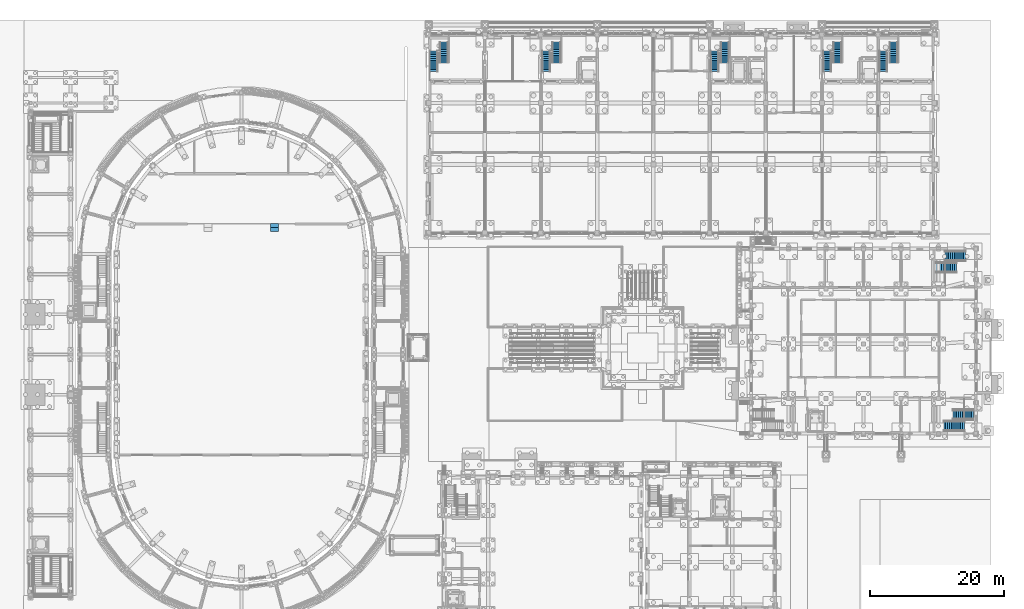
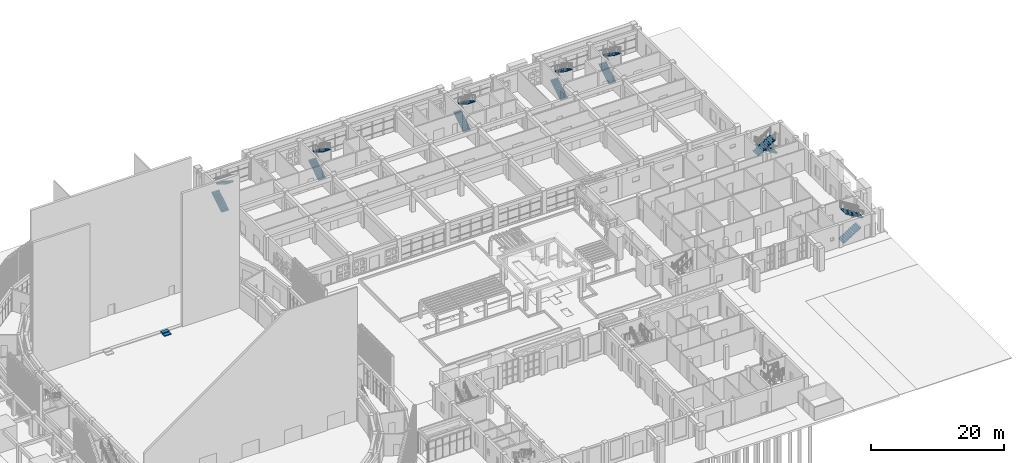
# One storey, part 80 of 112: 15 stair flights, 8 elements without a shape of their own.
"""IFC4 building model written with IfcOpenShell, lengths in metres."""

from ifc_helpers import new_model, si_unit, direction, frame, origin, place, context, subcontext, project, spatial, polyline, outline, extrude, material, type_object, element, aggregate, save


model = new_model("IFC4")

# Units and contexts
model_context = context("Model", 3, precision=1e-05, world=origin(), true_north=direction((0.0, 1.0)))
body_context = subcontext(model_context, "Body", "Model", "MODEL_VIEW")
ifc_project = project(units=[si_unit("LENGTHUNIT", "METRE"), si_unit("AREAUNIT", "SQUARE_METRE"), si_unit("VOLUMEUNIT", "CUBIC_METRE"), si_unit("PLANEANGLEUNIT", "RADIAN"), si_unit("MASSUNIT", "GRAM", prefix="KILO")], contexts=[model_context])

# Site, building, storey
site_placement = place(None, origin())
site = spatial("IfcSite", under=ifc_project, at=site_placement, CompositionType="ELEMENT")
building_placement = place(site_placement, origin())
building = spatial("IfcBuilding", under=site, at=building_placement, Name="Wasatch Bagh Community Centre", CompositionType="ELEMENT")
storey_placement = place(building_placement, origin())
storey = spatial("IfcBuildingStorey", under=building, at=storey_placement, Name="L00", CompositionType="ELEMENT", Elevation=0.0)

# Stair, stair flights
ifc_material = material(Name="Concrete C35", Category="concrete")
stair_type_1 = type_object("IfcStairType", Name="LW core stair", PredefinedType="HALF_TURN_STAIR", material=ifc_material)
stair_1_placement = place(storey_placement, origin())
stair_1 = element("IfcStair", 1, at=stair_1_placement, inside=storey, type_object=stair_type_1, Name="Stair West Stair", PredefinedType="HALF_TURN_STAIR")
stair_flight_type_1 = type_object("IfcStairFlightType", Name="LW stair flight 1260", PredefinedType="STRAIGHT", material=ifc_material)
stair_flight_1_placement = place(storey_placement, frame((64.7548828125, 92.300048828125, 0.0), z_axis=(0.0, 0.0, 1.0), x_axis=(0.0, 1.0, 0.0)))
stair_flight_1 = element("IfcStairFlight", 2, at=stair_flight_1_placement, type_object=stair_flight_type_1, Name="ST-WS-0 flight 1", NumberOfRisers=12, NumberOfTreads=11, PredefinedType="STRAIGHT", RiserHeight=0.175, TreadLength=0.28, context=body_context, shape_type="SweptSolid", body=[
    extrude(outline(polyline([(0.0, 0.0), (0.0, 0.175048828125), (0.280029296875, 0.175048828125), (0.280029296875, 0.35009765625), (0.56005859375, 0.35009765625), (0.56005859375, 0.52490234375), (0.840087890625, 0.52490234375), (0.840087890625, 0.699951171875), (1.1201171875, 0.699951171875), (1.1201171875, 0.875), (1.39990234375, 0.875), (1.39990234375, 1.050048828125), (1.679931640625, 1.050048828125), (1.679931640625, 1.22509765625), (1.9599609375, 1.22509765625), (1.9599609375, 1.39990234375), (2.239990234375, 1.39990234375), (2.239990234375, 1.574951171875), (2.52001953125, 1.574951171875), (2.52001953125, 1.75), (2.800048828125, 1.75), (2.800048828125, 1.925048828125), (3.080078125, 1.925048828125), (3.080078125, 2.10009765625), (3.080078125, 1.748291015625), (0.28271484375, 0.0), (0.0, 0.0)])), frame((0.0, 0.6298828125, 0.0), z_axis=(0.0, -1.0, 0.0), x_axis=(1.0, 0.0, 0.0)), (0.0, 0.0, 1.0), 1.260009765625),
])
stair_flight_2_placement = place(storey_placement, frame((66.294921875, 96.679931640625, 2.10009765625), z_axis=(0.0, 0.0, 1.0), x_axis=(0.0, -1.0, 0.0)))
stair_flight_2 = element("IfcStairFlight", 3, at=stair_flight_2_placement, type_object=stair_flight_type_1, Name="ST-WS-0 flight 2", NumberOfRisers=12, NumberOfTreads=11, PredefinedType="STRAIGHT", RiserHeight=0.175, TreadLength=0.28, context=body_context, shape_type="SweptSolid", body=[
    extrude(outline(polyline([(0.0, 0.0), (0.0, 0.175048828125), (0.280029296875, 0.175048828125), (0.280029296875, 0.35009765625), (0.56005859375, 0.35009765625), (0.56005859375, 0.52490234375), (0.840087890625, 0.52490234375), (0.840087890625, 0.699951171875), (1.1201171875, 0.699951171875), (1.1201171875, 0.875), (1.39990234375, 0.875), (1.39990234375, 1.050048828125), (1.679931640625, 1.050048828125), (1.679931640625, 1.22509765625), (1.9599609375, 1.22509765625), (1.9599609375, 1.39990234375), (2.239990234375, 1.39990234375), (2.239990234375, 1.574951171875), (2.52001953125, 1.574951171875), (2.52001953125, 1.75), (2.800048828125, 1.75), (2.800048828125, 1.925048828125), (3.080078125, 1.925048828125), (3.080078125, 2.10009765625), (3.080078125, 1.748291015625), (0.28271484375, 0.0), (0.0, 0.0)])), frame((0.0, 0.6298828125, 0.0), z_axis=(0.0, -1.0, 0.0), x_axis=(1.0, 0.0, 0.0)), (0.0, 0.0, 1.0), 1.260009765625),
])
aggregate(stair_1, [stair_flight_1, stair_flight_2])

stair_2_placement = place(storey_placement, origin())
stair_2 = element("IfcStair", 4, at=stair_2_placement, inside=storey, type_object=stair_type_1, Name="Stair Stair and Lift C1", PredefinedType="HALF_TURN_STAIR")
stair_flight_3_placement = place(storey_placement, frame((81.554931640625, 92.300048828125, 0.0), z_axis=(0.0, 0.0, 1.0), x_axis=(0.0, 1.0, 0.0)))
stair_flight_3 = element("IfcStairFlight", 5, at=stair_flight_3_placement, type_object=stair_flight_type_1, Name="ST-C1-0 flight 1", NumberOfRisers=12, NumberOfTreads=11, PredefinedType="STRAIGHT", RiserHeight=0.175, TreadLength=0.28, context=body_context, shape_type="SweptSolid", body=[
    extrude(outline(polyline([(0.0, 0.0), (0.0, 0.175048828125), (0.280029296875, 0.175048828125), (0.280029296875, 0.35009765625), (0.56005859375, 0.35009765625), (0.56005859375, 0.52490234375), (0.840087890625, 0.52490234375), (0.840087890625, 0.699951171875), (1.1201171875, 0.699951171875), (1.1201171875, 0.875), (1.39990234375, 0.875), (1.39990234375, 1.050048828125), (1.679931640625, 1.050048828125), (1.679931640625, 1.22509765625), (1.9599609375, 1.22509765625), (1.9599609375, 1.39990234375), (2.239990234375, 1.39990234375), (2.239990234375, 1.574951171875), (2.52001953125, 1.574951171875), (2.52001953125, 1.75), (2.800048828125, 1.75), (2.800048828125, 1.925048828125), (3.080078125, 1.925048828125), (3.080078125, 2.10009765625), (3.080078125, 1.748291015625), (0.28271484375, 0.0), (0.0, 0.0)])), frame((0.0, 0.6298828125, 0.0), z_axis=(0.0, -1.0, 0.0), x_axis=(1.0, 0.0, 0.0)), (0.0, 0.0, 1.0), 1.260009765625),
])
stair_flight_4_placement = place(storey_placement, frame((83.094970703125, 96.679931640625, 2.10009765625), z_axis=(0.0, 0.0, 1.0), x_axis=(0.0, -1.0, 0.0)))
stair_flight_4 = element("IfcStairFlight", 6, at=stair_flight_4_placement, type_object=stair_flight_type_1, Name="ST-C1-0 flight 2", NumberOfRisers=12, NumberOfTreads=11, PredefinedType="STRAIGHT", RiserHeight=0.175, TreadLength=0.28, context=body_context, shape_type="SweptSolid", body=[
    extrude(outline(polyline([(0.0, 0.0), (0.0, 0.175048828125), (0.280029296875, 0.175048828125), (0.280029296875, 0.35009765625), (0.56005859375, 0.35009765625), (0.56005859375, 0.52490234375), (0.840087890625, 0.52490234375), (0.840087890625, 0.699951171875), (1.1201171875, 0.699951171875), (1.1201171875, 0.875), (1.39990234375, 0.875), (1.39990234375, 1.050048828125), (1.679931640625, 1.050048828125), (1.679931640625, 1.22509765625), (1.9599609375, 1.22509765625), (1.9599609375, 1.39990234375), (2.239990234375, 1.39990234375), (2.239990234375, 1.574951171875), (2.52001953125, 1.574951171875), (2.52001953125, 1.75), (2.800048828125, 1.75), (2.800048828125, 1.925048828125), (3.080078125, 1.925048828125), (3.080078125, 2.10009765625), (3.080078125, 1.748291015625), (0.28271484375, 0.0), (0.0, 0.0)])), frame((0.0, 0.6298828125, 0.0), z_axis=(0.0, -1.0, 0.0), x_axis=(1.0, 0.0, 0.0)), (0.0, 0.0, 1.0), 1.260009765625),
])
aggregate(stair_2, [stair_flight_3, stair_flight_4])

stair_3_placement = place(storey_placement, origin())
stair_3 = element("IfcStair", 7, at=stair_3_placement, inside=storey, type_object=stair_type_1, Name="Stair Stair and Lift C2", PredefinedType="HALF_TURN_STAIR")
stair_flight_5_placement = place(storey_placement, frame((106.7548828125, 92.300048828125, 0.0), z_axis=(0.0, 0.0, 1.0), x_axis=(0.0, 1.0, 0.0)))
stair_flight_5 = element("IfcStairFlight", 8, at=stair_flight_5_placement, type_object=stair_flight_type_1, Name="ST-C2-0 flight 1", NumberOfRisers=12, NumberOfTreads=11, PredefinedType="STRAIGHT", RiserHeight=0.175, TreadLength=0.28, context=body_context, shape_type="SweptSolid", body=[
    extrude(outline(polyline([(0.0, 0.0), (0.0, 0.175048828125), (0.280029296875, 0.175048828125), (0.280029296875, 0.35009765625), (0.56005859375, 0.35009765625), (0.56005859375, 0.52490234375), (0.840087890625, 0.52490234375), (0.840087890625, 0.699951171875), (1.1201171875, 0.699951171875), (1.1201171875, 0.875), (1.39990234375, 0.875), (1.39990234375, 1.050048828125), (1.679931640625, 1.050048828125), (1.679931640625, 1.22509765625), (1.9599609375, 1.22509765625), (1.9599609375, 1.39990234375), (2.239990234375, 1.39990234375), (2.239990234375, 1.574951171875), (2.52001953125, 1.574951171875), (2.52001953125, 1.75), (2.800048828125, 1.75), (2.800048828125, 1.925048828125), (3.080078125, 1.925048828125), (3.080078125, 2.10009765625), (3.080078125, 1.748291015625), (0.28271484375, 0.0), (0.0, 0.0)])), frame((0.0, 0.6298828125, 0.0), z_axis=(0.0, -1.0, 0.0), x_axis=(1.0, 0.0, 0.0)), (0.0, 0.0, 1.0), 1.260009765625),
])
stair_flight_6_placement = place(storey_placement, frame((108.294921875, 96.679931640625, 2.10009765625), z_axis=(0.0, 0.0, 1.0), x_axis=(0.0, -1.0, 0.0)))
stair_flight_6 = element("IfcStairFlight", 9, at=stair_flight_6_placement, type_object=stair_flight_type_1, Name="ST-C2-0 flight 2", NumberOfRisers=12, NumberOfTreads=11, PredefinedType="STRAIGHT", RiserHeight=0.175, TreadLength=0.28, context=body_context, shape_type="SweptSolid", body=[
    extrude(outline(polyline([(0.0, 0.0), (0.0, 0.175048828125), (0.280029296875, 0.175048828125), (0.280029296875, 0.35009765625), (0.56005859375, 0.35009765625), (0.56005859375, 0.52490234375), (0.840087890625, 0.52490234375), (0.840087890625, 0.699951171875), (1.1201171875, 0.699951171875), (1.1201171875, 0.875), (1.39990234375, 0.875), (1.39990234375, 1.050048828125), (1.679931640625, 1.050048828125), (1.679931640625, 1.22509765625), (1.9599609375, 1.22509765625), (1.9599609375, 1.39990234375), (2.239990234375, 1.39990234375), (2.239990234375, 1.574951171875), (2.52001953125, 1.574951171875), (2.52001953125, 1.75), (2.800048828125, 1.75), (2.800048828125, 1.925048828125), (3.080078125, 1.925048828125), (3.080078125, 2.10009765625), (3.080078125, 1.748291015625), (0.28271484375, 0.0), (0.0, 0.0)])), frame((0.0, 0.6298828125, 0.0), z_axis=(0.0, -1.0, 0.0), x_axis=(1.0, 0.0, 0.0)), (0.0, 0.0, 1.0), 1.260009765625),
])
aggregate(stair_3, [stair_flight_5, stair_flight_6])

stair_4_placement = place(storey_placement, origin())
stair_4 = element("IfcStair", 10, at=stair_4_placement, inside=storey, type_object=stair_type_1, Name="Stair Stair and Lift C3", PredefinedType="HALF_TURN_STAIR")
stair_flight_7_placement = place(storey_placement, frame((123.554931640625, 92.300048828125, 0.0), z_axis=(0.0, 0.0, 1.0), x_axis=(0.0, 1.0, 0.0)))
stair_flight_7 = element("IfcStairFlight", 11, at=stair_flight_7_placement, type_object=stair_flight_type_1, Name="ST-C3-0 flight 1", NumberOfRisers=12, NumberOfTreads=11, PredefinedType="STRAIGHT", RiserHeight=0.175, TreadLength=0.28, context=body_context, shape_type="SweptSolid", body=[
    extrude(outline(polyline([(0.0, 0.0), (0.0, 0.175048828125), (0.280029296875, 0.175048828125), (0.280029296875, 0.35009765625), (0.56005859375, 0.35009765625), (0.56005859375, 0.52490234375), (0.840087890625, 0.52490234375), (0.840087890625, 0.699951171875), (1.1201171875, 0.699951171875), (1.1201171875, 0.875), (1.39990234375, 0.875), (1.39990234375, 1.050048828125), (1.679931640625, 1.050048828125), (1.679931640625, 1.22509765625), (1.9599609375, 1.22509765625), (1.9599609375, 1.39990234375), (2.239990234375, 1.39990234375), (2.239990234375, 1.574951171875), (2.52001953125, 1.574951171875), (2.52001953125, 1.75), (2.800048828125, 1.75), (2.800048828125, 1.925048828125), (3.080078125, 1.925048828125), (3.080078125, 2.10009765625), (3.080078125, 1.748291015625), (0.28271484375, 0.0), (0.0, 0.0)])), frame((0.0, 0.6298828125, 0.0), z_axis=(0.0, -1.0, 0.0), x_axis=(1.0, 0.0, 0.0)), (0.0, 0.0, 1.0), 1.260009765625),
])
stair_flight_8_placement = place(storey_placement, frame((125.094970703125, 96.679931640625, 2.10009765625), z_axis=(0.0, 0.0, 1.0), x_axis=(0.0, -1.0, 0.0)))
stair_flight_8 = element("IfcStairFlight", 12, at=stair_flight_8_placement, type_object=stair_flight_type_1, Name="ST-C3-0 flight 2", NumberOfRisers=12, NumberOfTreads=11, PredefinedType="STRAIGHT", RiserHeight=0.175, TreadLength=0.28, context=body_context, shape_type="SweptSolid", body=[
    extrude(outline(polyline([(0.0, 0.0), (0.0, 0.175048828125), (0.280029296875, 0.175048828125), (0.280029296875, 0.35009765625), (0.56005859375, 0.35009765625), (0.56005859375, 0.52490234375), (0.840087890625, 0.52490234375), (0.840087890625, 0.699951171875), (1.1201171875, 0.699951171875), (1.1201171875, 0.875), (1.39990234375, 0.875), (1.39990234375, 1.050048828125), (1.679931640625, 1.050048828125), (1.679931640625, 1.22509765625), (1.9599609375, 1.22509765625), (1.9599609375, 1.39990234375), (2.239990234375, 1.39990234375), (2.239990234375, 1.574951171875), (2.52001953125, 1.574951171875), (2.52001953125, 1.75), (2.800048828125, 1.75), (2.800048828125, 1.925048828125), (3.080078125, 1.925048828125), (3.080078125, 2.10009765625), (3.080078125, 1.748291015625), (0.28271484375, 0.0), (0.0, 0.0)])), frame((0.0, 0.6298828125, 0.0), z_axis=(0.0, -1.0, 0.0), x_axis=(1.0, 0.0, 0.0)), (0.0, 0.0, 1.0), 1.260009765625),
])
aggregate(stair_4, [stair_flight_7, stair_flight_8])

stair_5_placement = place(storey_placement, origin())
stair_5 = element("IfcStair", 13, at=stair_5_placement, inside=storey, type_object=stair_type_1, Name="Stair East Stair", PredefinedType="HALF_TURN_STAIR")
stair_flight_9_placement = place(storey_placement, frame((131.955078125, 92.300048828125, 0.0), z_axis=(0.0, 0.0, 1.0), x_axis=(0.0, 1.0, 0.0)))
stair_flight_9 = element("IfcStairFlight", 14, at=stair_flight_9_placement, type_object=stair_flight_type_1, Name="ST-ES-0 flight 1", NumberOfRisers=12, NumberOfTreads=11, PredefinedType="STRAIGHT", RiserHeight=0.175, TreadLength=0.28, context=body_context, shape_type="SweptSolid", body=[
    extrude(outline(polyline([(0.0, 0.0), (0.0, 0.175048828125), (0.280029296875, 0.175048828125), (0.280029296875, 0.35009765625), (0.56005859375, 0.35009765625), (0.56005859375, 0.52490234375), (0.840087890625, 0.52490234375), (0.840087890625, 0.699951171875), (1.1201171875, 0.699951171875), (1.1201171875, 0.875), (1.39990234375, 0.875), (1.39990234375, 1.050048828125), (1.679931640625, 1.050048828125), (1.679931640625, 1.22509765625), (1.9599609375, 1.22509765625), (1.9599609375, 1.39990234375), (2.239990234375, 1.39990234375), (2.239990234375, 1.574951171875), (2.52001953125, 1.574951171875), (2.52001953125, 1.75), (2.800048828125, 1.75), (2.800048828125, 1.925048828125), (3.080078125, 1.925048828125), (3.080078125, 2.10009765625), (3.080078125, 1.748291015625), (0.28271484375, 0.0), (0.0, 0.0)])), frame((0.0, 0.6298828125, 0.0), z_axis=(0.0, -1.0, 0.0), x_axis=(1.0, 0.0, 0.0)), (0.0, 0.0, 1.0), 1.260009765625),
])
stair_flight_10_placement = place(storey_placement, frame((133.4951171875, 96.679931640625, 2.10009765625), z_axis=(0.0, 0.0, 1.0), x_axis=(0.0, -1.0, 0.0)))
stair_flight_10 = element("IfcStairFlight", 15, at=stair_flight_10_placement, type_object=stair_flight_type_1, Name="ST-ES-0 flight 2", NumberOfRisers=12, NumberOfTreads=11, PredefinedType="STRAIGHT", RiserHeight=0.175, TreadLength=0.28, context=body_context, shape_type="SweptSolid", body=[
    extrude(outline(polyline([(0.0, 0.0), (0.0, 0.175048828125), (0.280029296875, 0.175048828125), (0.280029296875, 0.35009765625), (0.56005859375, 0.35009765625), (0.56005859375, 0.52490234375), (0.840087890625, 0.52490234375), (0.840087890625, 0.699951171875), (1.1201171875, 0.699951171875), (1.1201171875, 0.875), (1.39990234375, 0.875), (1.39990234375, 1.050048828125), (1.679931640625, 1.050048828125), (1.679931640625, 1.22509765625), (1.9599609375, 1.22509765625), (1.9599609375, 1.39990234375), (2.239990234375, 1.39990234375), (2.239990234375, 1.574951171875), (2.52001953125, 1.574951171875), (2.52001953125, 1.75), (2.800048828125, 1.75), (2.800048828125, 1.925048828125), (3.080078125, 1.925048828125), (3.080078125, 2.10009765625), (3.080078125, 1.748291015625), (0.28271484375, 0.0), (0.0, 0.0)])), frame((0.0, 0.6298828125, 0.0), z_axis=(0.0, -1.0, 0.0), x_axis=(1.0, 0.0, 0.0)), (0.0, 0.0, 1.0), 1.260009765625),
])
aggregate(stair_5, [stair_flight_9, stair_flight_10])

# Stair, stair flight
stair_type_2 = type_object("IfcStairType", Name="MH stage step", PredefinedType="STRAIGHT_RUN_STAIR", material=ifc_material)
stair_6_placement = place(storey_placement, origin())
stair_6 = element("IfcStair", 16, at=stair_6_placement, inside=storey, type_object=stair_type_2, Name="Stage steps", PredefinedType="STRAIGHT_RUN_STAIR")
stair_flight_type_2 = type_object("IfcStairFlightType", Name="MH stage step flight", PredefinedType="STRAIGHT", material=ifc_material)
stair_flight_11_placement = place(storey_placement, frame((41.0, 68.419921875, 0.0), z_axis=(0.0, 0.0, 1.0), x_axis=(0.0, 1.0, 0.0)))
stair_flight_11 = element("IfcStairFlight", 17, at=stair_flight_11_placement, type_object=stair_flight_type_2, Name="ST-M2 flight 1", NumberOfRisers=3, NumberOfTreads=2, PredefinedType="STRAIGHT", RiserHeight=0.15, TreadLength=0.6, context=body_context, shape_type="SweptSolid", body=[
    extrude(outline(polyline([(0.0, 0.0), (0.0, 0.14990234375), (0.60009765625, 0.14990234375), (0.60009765625, 0.300048828125), (1.199951171875, 0.300048828125), (1.199951171875, 0.449951171875), (1.199951171875, 0.1455078125), (0.6181640625, 0.0), (0.0, 0.0)])), frame((0.0, 0.60009765625, 0.0), z_axis=(0.0, -1.0, 0.0), x_axis=(1.0, 0.0, 0.0)), (0.0, 0.0, 1.0), 1.199951171875),
])
aggregate(stair_6, [stair_flight_11])

# Stair, stair flights
stair_type_3 = type_object("IfcStairType", Name="SH stair 1500", PredefinedType="HALF_TURN_STAIR", material=ifc_material)
stair_7_placement = place(storey_placement, origin())
stair_7 = element("IfcStair", 18, at=stair_7_placement, inside=storey, type_object=stair_type_3, Name="ST2 stair", PredefinedType="HALF_TURN_STAIR")
stair_flight_type_3 = type_object("IfcStairFlightType", Name="SH flight 1500", PredefinedType="STRAIGHT", material=ifc_material)
stair_flight_12_placement = place(storey_placement, frame((141.0, 39.300048828125, 0.0), z_axis=(0.0, 0.0, 1.0), x_axis=(1.0, 0.0, 0.0)))
stair_flight_12 = element("IfcStairFlight", 19, at=stair_flight_12_placement, type_object=stair_flight_type_3, Name="ST2 flight 1", NumberOfRisers=12, NumberOfTreads=11, PredefinedType="STRAIGHT", RiserHeight=0.175, TreadLength=0.28, context=body_context, shape_type="SweptSolid", body=[
    extrude(outline(polyline([(0.0, 0.0), (0.0, 0.175048828125), (0.280029296875, 0.175048828125), (0.280029296875, 0.35009765625), (0.56005859375, 0.35009765625), (0.56005859375, 0.52490234375), (0.840087890625, 0.52490234375), (0.840087890625, 0.699951171875), (1.1201171875, 0.699951171875), (1.1201171875, 0.875), (1.39990234375, 0.875), (1.39990234375, 1.050048828125), (1.679931640625, 1.050048828125), (1.679931640625, 1.22509765625), (1.9599609375, 1.22509765625), (1.9599609375, 1.39990234375), (2.239990234375, 1.39990234375), (2.239990234375, 1.574951171875), (2.52001953125, 1.574951171875), (2.52001953125, 1.75), (2.800048828125, 1.75), (2.800048828125, 1.925048828125), (3.080078125, 1.925048828125), (3.080078125, 2.10009765625), (3.080078125, 1.748291015625), (0.28271484375, 0.0), (0.0, 0.0)])), frame((0.0, 0.75, 0.0), z_axis=(0.0, -1.0, 0.0), x_axis=(1.0, 0.0, 0.0)), (0.0, 0.0, 1.0), 1.5),
])
stair_flight_13_placement = place(storey_placement, frame((145.449951171875, 41.0, 2.10009765625), z_axis=(0.0, 0.0, 1.0), x_axis=(-1.0, 0.0, 0.0)))
stair_flight_13 = element("IfcStairFlight", 20, at=stair_flight_13_placement, type_object=stair_flight_type_3, Name="ST2 flight 2", NumberOfRisers=12, NumberOfTreads=11, PredefinedType="STRAIGHT", RiserHeight=0.175, TreadLength=0.28, context=body_context, shape_type="SweptSolid", body=[
    extrude(outline(polyline([(0.0, 0.0), (0.0, 0.175048828125), (0.280029296875, 0.175048828125), (0.280029296875, 0.35009765625), (0.56005859375, 0.35009765625), (0.56005859375, 0.52490234375), (0.840087890625, 0.52490234375), (0.840087890625, 0.699951171875), (1.1201171875, 0.699951171875), (1.1201171875, 0.875), (1.39990234375, 0.875), (1.39990234375, 1.050048828125), (1.679931640625, 1.050048828125), (1.679931640625, 1.22509765625), (1.9599609375, 1.22509765625), (1.9599609375, 1.39990234375), (2.239990234375, 1.39990234375), (2.239990234375, 1.574951171875), (2.52001953125, 1.574951171875), (2.52001953125, 1.75), (2.800048828125, 1.75), (2.800048828125, 1.925048828125), (3.080078125, 1.925048828125), (3.080078125, 2.10009765625), (3.080078125, 1.748291015625), (0.28271484375, 0.0), (0.0, 0.0)])), frame((0.0, 0.75, 0.0), z_axis=(0.0, -1.0, 0.0), x_axis=(1.0, 0.0, 0.0)), (0.0, 0.0, 1.0), 1.5),
])
aggregate(stair_7, [stair_flight_12, stair_flight_13])

stair_8_placement = place(storey_placement, origin())
stair_8 = element("IfcStair", 21, at=stair_8_placement, inside=storey, type_object=stair_type_3, Name="ST3 stair", PredefinedType="HALF_TURN_STAIR")
stair_flight_14_placement = place(storey_placement, frame((144.25, 64.699951171875, 0.0), z_axis=(0.0, 0.0, 1.0), x_axis=(-1.0, 0.0, 0.0)))
stair_flight_14 = element("IfcStairFlight", 22, at=stair_flight_14_placement, type_object=stair_flight_type_3, Name="ST3 flight 1", NumberOfRisers=12, NumberOfTreads=11, PredefinedType="STRAIGHT", RiserHeight=0.175, TreadLength=0.28, context=body_context, shape_type="SweptSolid", body=[
    extrude(outline(polyline([(0.0, 0.0), (0.0, 0.175048828125), (0.280029296875, 0.175048828125), (0.280029296875, 0.35009765625), (0.56005859375, 0.35009765625), (0.56005859375, 0.52490234375), (0.840087890625, 0.52490234375), (0.840087890625, 0.699951171875), (1.1201171875, 0.699951171875), (1.1201171875, 0.875), (1.39990234375, 0.875), (1.39990234375, 1.050048828125), (1.679931640625, 1.050048828125), (1.679931640625, 1.22509765625), (1.9599609375, 1.22509765625), (1.9599609375, 1.39990234375), (2.239990234375, 1.39990234375), (2.239990234375, 1.574951171875), (2.52001953125, 1.574951171875), (2.52001953125, 1.75), (2.800048828125, 1.75), (2.800048828125, 1.925048828125), (3.080078125, 1.925048828125), (3.080078125, 2.10009765625), (3.080078125, 1.748291015625), (0.28271484375, 0.0), (0.0, 0.0)])), frame((0.0, 0.75, 0.0), z_axis=(0.0, -1.0, 0.0), x_axis=(1.0, 0.0, 0.0)), (0.0, 0.0, 1.0), 1.5),
])
stair_flight_15_placement = place(storey_placement, frame((139.800048828125, 63.0, 2.10009765625), z_axis=(0.0, 0.0, 1.0), x_axis=(1.0, 0.0, 0.0)))
stair_flight_15 = element("IfcStairFlight", 23, at=stair_flight_15_placement, type_object=stair_flight_type_3, Name="ST3 flight 2", NumberOfRisers=12, NumberOfTreads=11, PredefinedType="STRAIGHT", RiserHeight=0.175, TreadLength=0.28, context=body_context, shape_type="SweptSolid", body=[
    extrude(outline(polyline([(0.0, 0.0), (0.0, 0.175048828125), (0.280029296875, 0.175048828125), (0.280029296875, 0.35009765625), (0.56005859375, 0.35009765625), (0.56005859375, 0.52490234375), (0.840087890625, 0.52490234375), (0.840087890625, 0.699951171875), (1.1201171875, 0.699951171875), (1.1201171875, 0.875), (1.39990234375, 0.875), (1.39990234375, 1.050048828125), (1.679931640625, 1.050048828125), (1.679931640625, 1.22509765625), (1.9599609375, 1.22509765625), (1.9599609375, 1.39990234375), (2.239990234375, 1.39990234375), (2.239990234375, 1.574951171875), (2.52001953125, 1.574951171875), (2.52001953125, 1.75), (2.800048828125, 1.75), (2.800048828125, 1.925048828125), (3.080078125, 1.925048828125), (3.080078125, 2.10009765625), (3.080078125, 1.748291015625), (0.28271484375, 0.0), (0.0, 0.0)])), frame((0.0, 0.75, 0.0), z_axis=(0.0, -1.0, 0.0), x_axis=(1.0, 0.0, 0.0)), (0.0, 0.0, 1.0), 1.5),
])
aggregate(stair_8, [stair_flight_14, stair_flight_15])

save(model, "model.ifc")
